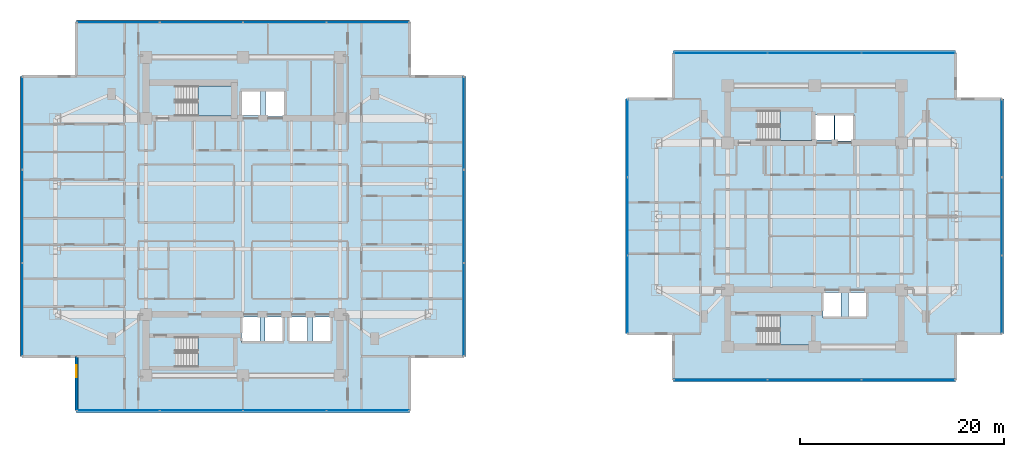
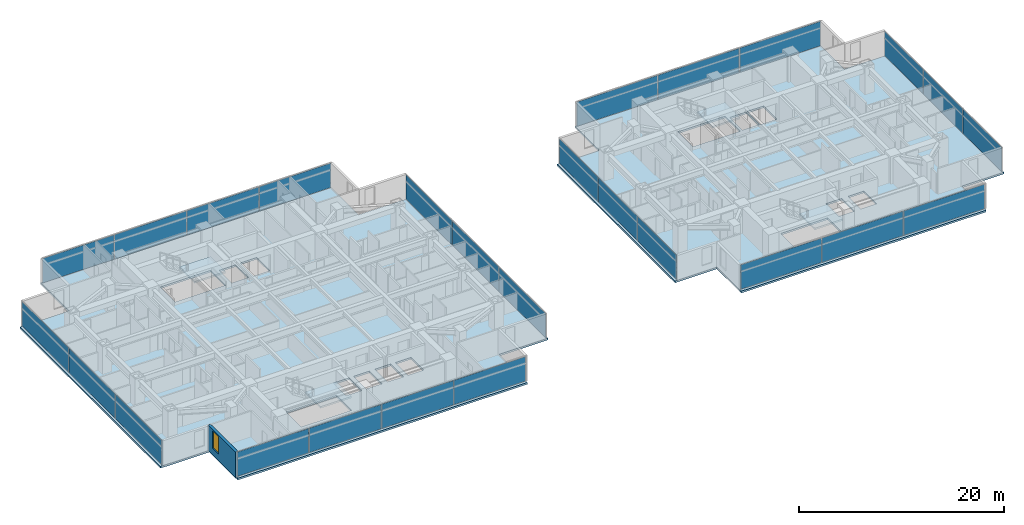
# One storey, part 11 of 25: 26 plates, 6 slabs, 1 wall, 1 window, 1 opening, 12 elements without a shape of their own.
"""IFC4 building model written with IfcOpenShell, lengths in metres."""

import ifcopenshell
import ifcopenshell.guid

model = None  # the IFC model being written
_history = None  # IfcOwnerHistory: only IFC2X3 demands one
_inside = {}  # id of a spatial element -> (the spatial element, [elements in it])
_under = {}  # id of a project, library or spatial element -> (it, [spatial elements below it])
_declared = {}  # id of a project -> (the project, [libraries it declares])
_typed = {}  # id of a type object -> (the type object, [elements of that type])
_made_of = {}  # id of a material, layer set ... -> (it, [elements and type objects made of it])


def new_model(schema):
    """Start an empty IFC model of exactly this schema.

    Asked for "IFC4X3", IfcOpenShell would pick the latest addendum, in which some entities
    have other attributes; the version numbers below select the first issue.
    IFC2X3 requires an IfcOwnerHistory on every rooted entity: one is made here for all.
    """
    global model, _history
    if schema == "IFC4X3":
        model = ifcopenshell.file(schema_version=(4, 3, 0, 0))
    else:
        model = ifcopenshell.file(schema=schema)
    _inside.clear()
    _under.clear()
    _declared.clear()
    _typed.clear()
    _made_of.clear()
    _history = None
    if model.schema == "IFC2X3":
        org = make("IfcOrganization", Name="unknown")
        user = make(
            "IfcPersonAndOrganization",
            ThePerson=make("IfcPerson", FamilyName="unknown"),
            TheOrganization=org,
        )
        app = make(
            "IfcApplication",
            ApplicationDeveloper=org,
            Version="unknown",
            ApplicationFullName="unknown",
            ApplicationIdentifier="unknown",
        )
        _history = make(
            "IfcOwnerHistory",
            OwningUser=user,
            OwningApplication=app,
            ChangeAction="ADDED",
            CreationDate=0,
        )
    return model


def make(cls, **values):
    """One entity of the class cls with the attributes given. An attribute that is None is left unset."""
    return model.create_entity(
        cls, **{name: value for name, value in values.items() if value is not None}
    )


def rooted(cls, **values):
    """An entity with a GlobalId (a new one), such as an element, a storey or a relation."""
    return make(cls, GlobalId=ifcopenshell.guid.new(), OwnerHistory=_history, **values)


def si_unit(unit_type, name, prefix=None):
    """IfcSIUnit, for example si_unit("LENGTHUNIT", "METRE", prefix="MILLI")."""
    return make("IfcSIUnit", UnitType=unit_type, Prefix=prefix, Name=name)


def assignment(units):
    """IfcUnitAssignment: the units of a project."""
    return None if units is None else make("IfcUnitAssignment", Units=units)


def point(xyz):
    """IfcCartesianPoint."""
    return None if xyz is None else make("IfcCartesianPoint", Coordinates=xyz)


def direction(xyz):
    """IfcDirection."""
    return None if xyz is None else make("IfcDirection", DirectionRatios=xyz)


def frame(location, z_axis=None, x_axis=None):
    """IfcAxis2Placement3D, a coordinate frame: its origin and axes. An axis left out is left unset."""
    return make(
        "IfcAxis2Placement3D",
        Location=point(location),
        Axis=direction(z_axis),
        RefDirection=direction(x_axis),
    )


def frame_2d(location, x_axis=None):
    """IfcAxis2Placement2D, a coordinate frame in the plane: its origin and x axis."""
    return make(
        "IfcAxis2Placement2D", Location=point(location), RefDirection=direction(x_axis)
    )


def origin():
    """The frame at (0, 0, 0) with its axes left unset."""
    return frame((0.0, 0.0, 0.0))


def origin_2d():
    """The frame at (0, 0) in the plane with its x axis left unset."""
    return frame_2d((0.0, 0.0))


def place(relative_to, where):
    """IfcLocalPlacement: puts the frame where relative to a parent placement (None: the world)."""
    return make(
        "IfcLocalPlacement", PlacementRelTo=relative_to, RelativePlacement=where
    )


def context(
    kind, dimensions, precision=None, world=None, true_north=None, identifier=None
):
    """IfcGeometricRepresentationContext, for example the 3D "Model" context."""
    return make(
        "IfcGeometricRepresentationContext",
        ContextIdentifier=identifier,
        ContextType=kind,
        CoordinateSpaceDimension=dimensions,
        Precision=precision,
        WorldCoordinateSystem=world,
        TrueNorth=true_north,
    )


def subcontext(parent, identifier, kind, view, scale=None):
    """IfcGeometricRepresentationSubContext, for example "Body" below "Model"."""
    return make(
        "IfcGeometricRepresentationSubContext",
        ContextIdentifier=identifier,
        ContextType=kind,
        ParentContext=parent,
        TargetScale=scale,
        TargetView=view,
    )


def project(units=None, contexts=None):
    """IfcProject with its units and contexts."""
    return rooted(
        "IfcProject",
        Name="project",
        RepresentationContexts=contexts,
        UnitsInContext=assignment(units),
    )


def spatial(cls, under=None, at=None, **own):
    """A site, building, storey or space (cls), placed at a placement, below another one or the project."""
    s = rooted(cls, ObjectPlacement=at, **own)
    if under is not None:
        _under.setdefault(under.id(), (under, []))[1].append(s)
    return s


def polyline(points):
    """IfcPolyline through the points."""
    return make("IfcPolyline", Points=[point(p) for p in points])


def profile(cls, at=None, kind="AREA", **sizes):
    """A parametric profile (cls). Its sizes go by their IFC names, for example OverallWidth=200.0."""
    return make(cls, ProfileType=kind, Position=at, **sizes)


def rectangle(**sizes):
    """IfcRectangleProfileDef."""
    return profile("IfcRectangleProfileDef", **sizes)


def outline(outer, holes=None, kind="AREA"):
    """IfcArbitraryClosedProfileDef: a profile drawn as a closed curve; with holes, ...WithVoids."""
    if holes is None:
        return make("IfcArbitraryClosedProfileDef", ProfileType=kind, OuterCurve=outer)
    return make(
        "IfcArbitraryProfileDefWithVoids",
        ProfileType=kind,
        OuterCurve=outer,
        InnerCurves=holes,
    )


def extrude(swept, where, along, depth):
    """IfcExtrudedAreaSolid: the profile swept, set in the frame where, extruded along a direction by depth."""
    return make(
        "IfcExtrudedAreaSolid",
        SweptArea=swept,
        Position=where,
        ExtrudedDirection=direction(along),
        Depth=depth,
    )


def shape(context_of_items, identifier, shape_type, items):
    """IfcShapeRepresentation: the items that make up one representation, for example the "Body"."""
    return make(
        "IfcShapeRepresentation",
        ContextOfItems=context_of_items,
        RepresentationIdentifier=identifier,
        RepresentationType=shape_type,
        Items=items,
    )


def material(Name=None, Category=None):
    """IfcMaterial."""
    return make("IfcMaterial", Name=Name, Category=Category)


def layer(
    of_material, thickness, ventilated=None, Name=None, Category=None, Priority=None
):
    """IfcMaterialLayer: one layer of a wall or slab, of a material (None: an air gap)."""
    return make(
        "IfcMaterialLayer",
        Material=of_material,
        LayerThickness=thickness,
        IsVentilated=ventilated,
        Name=Name,
        Category=Category,
        Priority=Priority,
    )


def layer_set(layers, Name=None):
    """IfcMaterialLayerSet."""
    return make("IfcMaterialLayerSet", MaterialLayers=layers, LayerSetName=Name)


def made_of(thing, what):
    """Note that an element or type object is made of a material, layer set ...; save() writes the relation."""
    if what is not None:
        _made_of.setdefault(what.id(), (what, []))[1].append(thing)
    return thing


def type_object(cls, material=None, **own):
    """A type object (cls), such as IfcWallType, which elements share."""
    return made_of(rooted(cls, **own), material)


def element(
    cls,
    number,
    at=None,
    inside=None,
    cuts=None,
    type_object=None,
    material=None,
    context=None,
    identifier="Body",
    shape_type=None,
    held_by="IfcProductDefinitionShape",
    body=None,
    shapes=None,
    **own,
):
    """One element of the class cls, such as IfcWall. Its Tag is "e" and its number.

    at: its placement. inside: the storey or other place that contains it. cuts: it is an
    opening in that element (IfcRelVoidsElement). A single representation is given by context,
    identifier, shape_type and body (its items); several are given by shapes. held_by: the class
    of the entity that holds the representations. save() writes the other relations.
    """
    e = rooted(cls, Tag="e%d" % number, ObjectPlacement=at, **own)
    if body is not None:
        shapes = [shape(context, identifier, shape_type, body)]
    if shapes is not None:
        e.Representation = make(held_by, Representations=shapes)
    if inside is not None:
        _inside.setdefault(inside.id(), (inside, []))[1].append(e)
    if cuts is not None:
        rooted(
            "IfcRelVoidsElement", RelatingBuildingElement=cuts, RelatedOpeningElement=e
        )
    if type_object is not None:
        _typed.setdefault(type_object.id(), (type_object, []))[1].append(e)
    return made_of(e, material)


def fill(opening, filler):
    """IfcRelFillsElement: the door or window that sits in an opening."""
    return rooted(
        "IfcRelFillsElement",
        RelatingOpeningElement=opening,
        RelatedBuildingElement=filler,
    )


def aggregate(whole, parts):
    """IfcRelAggregates: a whole, such as a stair, and the parts it consists of."""
    return rooted("IfcRelAggregates", RelatingObject=whole, RelatedObjects=parts)


def save(model, path):
    """Write the relations noted so far, then the file.

    IfcRelAggregates (storeys below a building ...), IfcRelContainedInSpatialStructure (elements
    in a storey), IfcRelDefinesByType, IfcRelAssociatesMaterial and IfcRelDeclares: one each for
    every whole, place, type object, material and project.
    """
    for whole, parts in _under.values():
        aggregate(whole, parts)
    for where, things in _inside.values():
        rooted(
            "IfcRelContainedInSpatialStructure",
            RelatedElements=things,
            RelatingStructure=where,
        )
    for kind, things in _typed.values():
        rooted("IfcRelDefinesByType", RelatedObjects=things, RelatingType=kind)
    for what, things in _made_of.values():
        rooted("IfcRelAssociatesMaterial", RelatedObjects=things, RelatingMaterial=what)
    for by, libraries in _declared.values():
        rooted("IfcRelDeclares", RelatingContext=by, RelatedDefinitions=libraries)
    model.write(path)


model = new_model("IFC4")

# Units and contexts
model_context = context("Model", 3, precision=1e-05, world=origin(), true_north=direction((0.0, 1.0)))
body_context = subcontext(model_context, "Body", "Model", "MODEL_VIEW")
ifc_project = project(units=[si_unit("LENGTHUNIT", "METRE"), si_unit("AREAUNIT", "SQUARE_METRE"), si_unit("VOLUMEUNIT", "CUBIC_METRE"), si_unit("PLANEANGLEUNIT", "RADIAN"), si_unit("MASSUNIT", "GRAM", prefix="KILO")], contexts=[model_context])

# Site, building, storey
site_placement = place(None, origin())
site = spatial("IfcSite", under=ifc_project, at=site_placement, CompositionType="ELEMENT")
building_placement = place(site_placement, origin())
building = spatial("IfcBuilding", under=site, at=building_placement, Name="Mirazonda Arch Towers", CompositionType="ELEMENT")
storey_placement = place(building_placement, frame((0.0, 0.0, 104.89990234375)))
storey = spatial("IfcBuildingStorey", under=building, at=storey_placement, Name="L29", CompositionType="ELEMENT", Elevation=104.89990234375)

# Curtain wall, plates
ifc_material_1 = material(Name="Anodised Aluminium and Low-E Glass", Category="aluminium")
curtain_wall_type = type_object("IfcCurtainWallType", Name="CW-HTL-UNIT", PredefinedType="NOTDEFINED", material=ifc_material_1)
curtain_wall_1_placement = place(storey_placement, origin())
curtain_wall_1 = element("IfcCurtainWall", 1, at=curtain_wall_1_placement, inside=storey, type_object=curtain_wall_type, Name="L29 T1 S Facade CW-L29-T1-S", PredefinedType="NOTDEFINED")
ifc_material_2 = material(Name="Insulated Low-E Solar Glass", Category="glass")
ifc_layer_1 = layer(ifc_material_2, 0.035888671875, Name="PAN-CW-HTL-UNIT")
ifc_layer_set_1 = layer_set([ifc_layer_1], Name="Insulated Low-E Solar Glass")
plate_type = type_object("IfcPlateType", Name="PAN-CW-HTL-UNIT", PredefinedType="CURTAIN_PANEL", material=ifc_layer_set_1)
plate_1_placement = place(storey_placement, frame((32.72509765625, 8.97998046875, 0.0751953125), z_axis=(0.0, 0.0, 1.0), x_axis=(-1.0, 0.0, 0.0)))
plate_1 = element("IfcPlate", 2, at=plate_1_placement, type_object=plate_type, Name="CW-112 panel 1.1", PredefinedType="CURTAIN_PANEL", context=body_context, shape_type="SweptSolid", body=[
    extrude(rectangle(XDim=8.050048828125, YDim=0.035888671875, at=origin_2d()), origin(), (0.0, 0.0, 1.0), 2.909912109375),
])
plate_2_placement = place(storey_placement, frame((24.581298828125, 8.97998046875, 0.0751953125), z_axis=(0.0, 0.0, 1.0), x_axis=(-1.0, 0.0, 0.0)))
plate_2 = element("IfcPlate", 3, at=plate_2_placement, type_object=plate_type, Name="CW-112 panel 2.1", PredefinedType="CURTAIN_PANEL", context=body_context, shape_type="SweptSolid", body=[
    extrude(rectangle(XDim=8.08740234375, YDim=0.035888671875, at=origin_2d()), origin(), (0.0, 0.0, 1.0), 2.909912109375),
])
plate_3_placement = place(storey_placement, frame((16.418701171875, 8.97998046875, 0.0751953125), z_axis=(0.0, 0.0, 1.0), x_axis=(-1.0, 0.0, 0.0)))
plate_3 = element("IfcPlate", 4, at=plate_3_placement, type_object=plate_type, Name="CW-112 panel 3.1", PredefinedType="CURTAIN_PANEL", context=body_context, shape_type="SweptSolid", body=[
    extrude(rectangle(XDim=8.08740234375, YDim=0.035888671875, at=origin_2d()), origin(), (0.0, 0.0, 1.0), 2.909912109375),
])
plate_4_placement = place(storey_placement, frame((8.27490234375, 8.97998046875, 0.0751953125), z_axis=(0.0, 0.0, 1.0), x_axis=(-1.0, 0.0, 0.0)))
plate_4 = element("IfcPlate", 5, at=plate_4_placement, type_object=plate_type, Name="CW-112 panel 4.1", PredefinedType="CURTAIN_PANEL", context=body_context, shape_type="SweptSolid", body=[
    extrude(rectangle(XDim=8.050048828125, YDim=0.035888671875, at=origin_2d()), origin(), (0.0, 0.0, 1.0), 2.909912109375),
])
aggregate(curtain_wall_1, [plate_1, plate_2, plate_3, plate_4])

curtain_wall_2_placement = place(storey_placement, origin())
curtain_wall_2 = element("IfcCurtainWall", 6, at=curtain_wall_2_placement, inside=storey, type_object=curtain_wall_type, Name="L29 T1 E Facade CW-L29-T1-E", PredefinedType="NOTDEFINED")
plate_5_placement = place(storey_placement, frame((42.1298828125, 18.87548828125, 0.0751953125), z_axis=(0.0, 0.0, 1.0), x_axis=(0.0, 1.0, 0.0)))
plate_5 = element("IfcPlate", 7, at=plate_5_placement, type_object=plate_type, Name="CW-112 panel 1.1", PredefinedType="CURTAIN_PANEL", context=body_context, shape_type="SweptSolid", body=[
    extrude(rectangle(XDim=9.03076171875, YDim=0.035888671875, at=origin_2d()), origin(), (0.0, 0.0, 1.0), 2.909912109375),
])
plate_6_placement = place(storey_placement, frame((42.1298828125, 28.0, 0.0751953125), z_axis=(0.0, 0.0, 1.0), x_axis=(0.0, 1.0, 0.0)))
plate_6 = element("IfcPlate", 8, at=plate_6_placement, type_object=plate_type, Name="CW-112 panel 2.1", PredefinedType="CURTAIN_PANEL", context=body_context, shape_type="SweptSolid", body=[
    extrude(rectangle(XDim=9.068359375, YDim=0.035888671875, at=origin_2d()), origin(), (0.0, 0.0, 1.0), 2.909912109375),
])
plate_7_placement = place(storey_placement, frame((42.1298828125, 37.12451171875, 0.0751953125), z_axis=(0.0, 0.0, 1.0), x_axis=(0.0, 1.0, 0.0)))
plate_7 = element("IfcPlate", 9, at=plate_7_placement, type_object=plate_type, Name="CW-112 panel 3.1", PredefinedType="CURTAIN_PANEL", context=body_context, shape_type="SweptSolid", body=[
    extrude(rectangle(XDim=9.03076171875, YDim=0.035888671875, at=origin_2d()), origin(), (0.0, 0.0, 1.0), 2.909912109375),
])
aggregate(curtain_wall_2, [plate_5, plate_6, plate_7])

curtain_wall_3_placement = place(storey_placement, origin())
curtain_wall_3 = element("IfcCurtainWall", 10, at=curtain_wall_3_placement, inside=storey, type_object=curtain_wall_type, Name="L29 T1 N Facade CW-L29-T1-N", PredefinedType="NOTDEFINED")
plate_8_placement = place(storey_placement, frame((8.27490234375, 47.02001953125, 0.0751953125), z_axis=(0.0, 0.0, 1.0), x_axis=(1.0, 0.0, 0.0)))
plate_8 = element("IfcPlate", 11, at=plate_8_placement, type_object=plate_type, Name="CW-112 panel 1.1", PredefinedType="CURTAIN_PANEL", context=body_context, shape_type="SweptSolid", body=[
    extrude(rectangle(XDim=8.050048828125, YDim=0.035888671875, at=origin_2d()), origin(), (0.0, 0.0, 1.0), 2.909912109375),
])
plate_9_placement = place(storey_placement, frame((16.418701171875, 47.02001953125, 0.0751953125), z_axis=(0.0, 0.0, 1.0), x_axis=(1.0, 0.0, 0.0)))
plate_9 = element("IfcPlate", 12, at=plate_9_placement, type_object=plate_type, Name="CW-112 panel 2.1", PredefinedType="CURTAIN_PANEL", context=body_context, shape_type="SweptSolid", body=[
    extrude(rectangle(XDim=8.08740234375, YDim=0.035888671875, at=origin_2d()), origin(), (0.0, 0.0, 1.0), 2.909912109375),
])
plate_10_placement = place(storey_placement, frame((24.581298828125, 47.02001953125, 0.0751953125), z_axis=(0.0, 0.0, 1.0), x_axis=(1.0, 0.0, 0.0)))
plate_10 = element("IfcPlate", 13, at=plate_10_placement, type_object=plate_type, Name="CW-112 panel 3.1", PredefinedType="CURTAIN_PANEL", context=body_context, shape_type="SweptSolid", body=[
    extrude(rectangle(XDim=8.08740234375, YDim=0.035888671875, at=origin_2d()), origin(), (0.0, 0.0, 1.0), 2.909912109375),
])
plate_11_placement = place(storey_placement, frame((32.72509765625, 47.02001953125, 0.0751953125), z_axis=(0.0, 0.0, 1.0), x_axis=(1.0, 0.0, 0.0)))
plate_11 = element("IfcPlate", 14, at=plate_11_placement, type_object=plate_type, Name="CW-112 panel 4.1", PredefinedType="CURTAIN_PANEL", context=body_context, shape_type="SweptSolid", body=[
    extrude(rectangle(XDim=8.050048828125, YDim=0.035888671875, at=origin_2d()), origin(), (0.0, 0.0, 1.0), 2.909912109375),
])
aggregate(curtain_wall_3, [plate_8, plate_9, plate_10, plate_11])

curtain_wall_4_placement = place(storey_placement, origin())
curtain_wall_4 = element("IfcCurtainWall", 15, at=curtain_wall_4_placement, inside=storey, type_object=curtain_wall_type, Name="L29 T1 W Facade CW-L29-T1-W", PredefinedType="NOTDEFINED")
plate_12_placement = place(storey_placement, frame((-1.1298828125, 37.12451171875, 0.0751953125), z_axis=(0.0, 0.0, 1.0), x_axis=(0.0, -1.0, 0.0)))
plate_12 = element("IfcPlate", 16, at=plate_12_placement, type_object=plate_type, Name="CW-112 panel 1.1", PredefinedType="CURTAIN_PANEL", context=body_context, shape_type="SweptSolid", body=[
    extrude(rectangle(XDim=9.03076171875, YDim=0.035888671875, at=origin_2d()), origin(), (0.0, 0.0, 1.0), 2.909912109375),
])
plate_13_placement = place(storey_placement, frame((-1.1298828125, 28.0, 0.0751953125), z_axis=(0.0, 0.0, 1.0), x_axis=(0.0, -1.0, 0.0)))
plate_13 = element("IfcPlate", 17, at=plate_13_placement, type_object=plate_type, Name="CW-112 panel 2.1", PredefinedType="CURTAIN_PANEL", context=body_context, shape_type="SweptSolid", body=[
    extrude(rectangle(XDim=9.068359375, YDim=0.035888671875, at=origin_2d()), origin(), (0.0, 0.0, 1.0), 2.909912109375),
])
plate_14_placement = place(storey_placement, frame((-1.1298828125, 18.87548828125, 0.0751953125), z_axis=(0.0, 0.0, 1.0), x_axis=(0.0, -1.0, 0.0)))
plate_14 = element("IfcPlate", 18, at=plate_14_placement, type_object=plate_type, Name="CW-112 panel 3.1", PredefinedType="CURTAIN_PANEL", context=body_context, shape_type="SweptSolid", body=[
    extrude(rectangle(XDim=9.03076171875, YDim=0.035888671875, at=origin_2d()), origin(), (0.0, 0.0, 1.0), 2.909912109375),
])
aggregate(curtain_wall_4, [plate_12, plate_13, plate_14])

curtain_wall_5_placement = place(storey_placement, origin())
curtain_wall_5 = element("IfcCurtainWall", 19, at=curtain_wall_5_placement, inside=storey, type_object=curtain_wall_type, Name="L29 T2 S Facade CW-L29-T2-S", PredefinedType="NOTDEFINED")
plate_15_placement = place(storey_placement, frame((85.692138671875, 11.986083984375, 0.0751953125), z_axis=(0.0, 0.0, 1.0), x_axis=(-1.0, 0.0, 0.0)))
plate_15 = element("IfcPlate", 20, at=plate_15_placement, type_object=plate_type, Name="CW-112 panel 1.1", PredefinedType="CURTAIN_PANEL", context=body_context, shape_type="SweptSolid", body=[
    extrude(rectangle(XDim=9.098388671875, YDim=0.035888671875, at=origin_2d()), origin(), (0.0, 0.0, 1.0), 2.909912109375),
])
plate_16_placement = place(storey_placement, frame((76.5, 11.986083984375, 0.0751953125), z_axis=(0.0, 0.0, 1.0), x_axis=(-1.0, 0.0, 0.0)))
plate_16 = element("IfcPlate", 21, at=plate_16_placement, type_object=plate_type, Name="CW-112 panel 2.1", PredefinedType="CURTAIN_PANEL", context=body_context, shape_type="SweptSolid", body=[
    extrude(rectangle(XDim=9.1357421875, YDim=0.035888671875, at=origin_2d()), origin(), (0.0, 0.0, 1.0), 2.909912109375),
])
plate_17_placement = place(storey_placement, frame((67.307861328125, 11.986083984375, 0.0751953125), z_axis=(0.0, 0.0, 1.0), x_axis=(-1.0, 0.0, 0.0)))
plate_17 = element("IfcPlate", 22, at=plate_17_placement, type_object=plate_type, Name="CW-112 panel 3.1", PredefinedType="CURTAIN_PANEL", context=body_context, shape_type="SweptSolid", body=[
    extrude(rectangle(XDim=9.098388671875, YDim=0.035888671875, at=origin_2d()), origin(), (0.0, 0.0, 1.0), 2.909912109375),
])
aggregate(curtain_wall_5, [plate_15, plate_16, plate_17])

curtain_wall_6_placement = place(storey_placement, origin())
curtain_wall_6 = element("IfcCurtainWall", 23, at=curtain_wall_6_placement, inside=storey, type_object=curtain_wall_type, Name="L29 T2 E Facade CW-L29-T2-E", PredefinedType="NOTDEFINED")
plate_18_placement = place(storey_placement, frame((94.83251953125, 20.353515625, 0.0751953125), z_axis=(0.0, 0.0, 1.0), x_axis=(0.0, 1.0, 0.0)))
plate_18 = element("IfcPlate", 24, at=plate_18_placement, type_object=plate_type, Name="CW-112 panel 1.1", PredefinedType="CURTAIN_PANEL", context=body_context, shape_type="SweptSolid", body=[
    extrude(rectangle(XDim=7.552734375, YDim=0.035888671875, at=origin_2d()), origin(), (0.0, 0.0, 1.0), 2.909912109375),
])
plate_19_placement = place(storey_placement, frame((94.83251953125, 28.0, 0.0751953125), z_axis=(0.0, 0.0, 1.0), x_axis=(0.0, 1.0, 0.0)))
plate_19 = element("IfcPlate", 25, at=plate_19_placement, type_object=plate_type, Name="CW-112 panel 2.1", PredefinedType="CURTAIN_PANEL", context=body_context, shape_type="SweptSolid", body=[
    extrude(rectangle(XDim=7.590087890625, YDim=0.035888671875, at=origin_2d()), origin(), (0.0, 0.0, 1.0), 2.909912109375),
])
plate_20_placement = place(storey_placement, frame((94.83251953125, 35.646484375, 0.0751953125), z_axis=(0.0, 0.0, 1.0), x_axis=(0.0, 1.0, 0.0)))
plate_20 = element("IfcPlate", 26, at=plate_20_placement, type_object=plate_type, Name="CW-112 panel 3.1", PredefinedType="CURTAIN_PANEL", context=body_context, shape_type="SweptSolid", body=[
    extrude(rectangle(XDim=7.552734375, YDim=0.035888671875, at=origin_2d()), origin(), (0.0, 0.0, 1.0), 2.909912109375),
])
aggregate(curtain_wall_6, [plate_18, plate_19, plate_20])

curtain_wall_7_placement = place(storey_placement, origin())
curtain_wall_7 = element("IfcCurtainWall", 27, at=curtain_wall_7_placement, inside=storey, type_object=curtain_wall_type, Name="L29 T2 N Facade CW-L29-T2-N", PredefinedType="NOTDEFINED")
plate_21_placement = place(storey_placement, frame((67.307861328125, 44.013916015625, 0.0751953125), z_axis=(0.0, 0.0, 1.0), x_axis=(1.0, 0.0, 0.0)))
plate_21 = element("IfcPlate", 28, at=plate_21_placement, type_object=plate_type, Name="CW-112 panel 1.1", PredefinedType="CURTAIN_PANEL", context=body_context, shape_type="SweptSolid", body=[
    extrude(rectangle(XDim=9.098388671875, YDim=0.035888671875, at=origin_2d()), origin(), (0.0, 0.0, 1.0), 2.909912109375),
])
plate_22_placement = place(storey_placement, frame((76.5, 44.013916015625, 0.0751953125), z_axis=(0.0, 0.0, 1.0), x_axis=(1.0, 0.0, 0.0)))
plate_22 = element("IfcPlate", 29, at=plate_22_placement, type_object=plate_type, Name="CW-112 panel 2.1", PredefinedType="CURTAIN_PANEL", context=body_context, shape_type="SweptSolid", body=[
    extrude(rectangle(XDim=9.1357421875, YDim=0.035888671875, at=origin_2d()), origin(), (0.0, 0.0, 1.0), 2.909912109375),
])
plate_23_placement = place(storey_placement, frame((85.692138671875, 44.013916015625, 0.0751953125), z_axis=(0.0, 0.0, 1.0), x_axis=(1.0, 0.0, 0.0)))
plate_23 = element("IfcPlate", 30, at=plate_23_placement, type_object=plate_type, Name="CW-112 panel 3.1", PredefinedType="CURTAIN_PANEL", context=body_context, shape_type="SweptSolid", body=[
    extrude(rectangle(XDim=9.098388671875, YDim=0.035888671875, at=origin_2d()), origin(), (0.0, 0.0, 1.0), 2.909912109375),
])
aggregate(curtain_wall_7, [plate_21, plate_22, plate_23])

curtain_wall_8_placement = place(storey_placement, origin())
curtain_wall_8 = element("IfcCurtainWall", 31, at=curtain_wall_8_placement, inside=storey, type_object=curtain_wall_type, Name="L29 T2 W Facade CW-L29-T2-W", PredefinedType="NOTDEFINED")
plate_24_placement = place(storey_placement, frame((58.16748046875, 35.646484375, 0.0751953125), z_axis=(0.0, 0.0, 1.0), x_axis=(0.0, -1.0, 0.0)))
plate_24 = element("IfcPlate", 32, at=plate_24_placement, type_object=plate_type, Name="CW-112 panel 1.1", PredefinedType="CURTAIN_PANEL", context=body_context, shape_type="SweptSolid", body=[
    extrude(rectangle(XDim=7.552734375, YDim=0.035888671875, at=origin_2d()), origin(), (0.0, 0.0, 1.0), 2.909912109375),
])
plate_25_placement = place(storey_placement, frame((58.16748046875, 28.0, 0.0751953125), z_axis=(0.0, 0.0, 1.0), x_axis=(0.0, -1.0, 0.0)))
plate_25 = element("IfcPlate", 33, at=plate_25_placement, type_object=plate_type, Name="CW-112 panel 2.1", PredefinedType="CURTAIN_PANEL", context=body_context, shape_type="SweptSolid", body=[
    extrude(rectangle(XDim=7.590087890625, YDim=0.035888671875, at=origin_2d()), origin(), (0.0, 0.0, 1.0), 2.909912109375),
])
plate_26_placement = place(storey_placement, frame((58.16748046875, 20.353515625, 0.0751953125), z_axis=(0.0, 0.0, 1.0), x_axis=(0.0, -1.0, 0.0)))
plate_26 = element("IfcPlate", 34, at=plate_26_placement, type_object=plate_type, Name="CW-112 panel 3.1", PredefinedType="CURTAIN_PANEL", context=body_context, shape_type="SweptSolid", body=[
    extrude(rectangle(XDim=7.552734375, YDim=0.035888671875, at=origin_2d()), origin(), (0.0, 0.0, 1.0), 2.909912109375),
])
aggregate(curtain_wall_8, [plate_24, plate_25, plate_26])

# Stair, slab
ifc_material_3 = material(Name="Concrete C40/50", Category="concrete")
stair_type = type_object("IfcStairType", Name="STAIR-CORE-1400", PredefinedType="HALF_TURN_STAIR", material=ifc_material_3)
stair_1_placement = place(storey_placement, origin())
stair_1 = element("IfcStair", 35, at=stair_1_placement, inside=storey, type_object=stair_type, Name="L29 Protected Exit Stair ST-T1N", PredefinedType="HALF_TURN_STAIR")
ifc_layer_2 = layer(ifc_material_3, 0.18994140625, Name="SLAB-LANDING-190")
ifc_layer_set_2 = layer_set([ifc_layer_2], Name="Concrete C40/50")
slab_type_1 = type_object("IfcSlabType", Name="SLAB-LANDING-190", PredefinedType="LANDING", material=ifc_layer_set_2)
slab_1_placement = place(storey_placement, frame((0.0, 0.0, 1.4501953125)))
slab_1 = element("IfcSlab", 36, at=slab_1_placement, type_object=slab_type_1, Name="ST-T1N landing 1", PredefinedType="LANDING", context=body_context, shape_type="SweptSolid", body=[
    extrude(outline(polyline([(16.090087890625, 37.820068359375), (19.60009765625, 37.820068359375), (19.60009765625, 40.760009765625), (16.090087890625, 40.760009765625), (16.090087890625, 37.820068359375)])), origin(), (0.0, 0.0, 1.0), 0.199951171875),
])
aggregate(stair_1, [slab_1])

stair_2_placement = place(storey_placement, origin())
stair_2 = element("IfcStair", 37, at=stair_2_placement, inside=storey, type_object=stair_type, Name="L29 Protected Exit Stair ST-T1S", PredefinedType="HALF_TURN_STAIR")
slab_2_placement = place(storey_placement, frame((0.0, 0.0, 1.4501953125)))
slab_2 = element("IfcSlab", 38, at=slab_2_placement, type_object=slab_type_1, Name="ST-T1S landing 1", PredefinedType="LANDING", context=body_context, shape_type="SweptSolid", body=[
    extrude(outline(polyline([(16.090087890625, 13.25), (19.60009765625, 13.25), (19.60009765625, 16.18994140625), (16.090087890625, 16.18994140625), (16.090087890625, 13.25)])), origin(), (0.0, 0.0, 1.0), 0.199951171875),
])
aggregate(stair_2, [slab_2])

stair_3_placement = place(storey_placement, origin())
stair_3 = element("IfcStair", 39, at=stair_3_placement, inside=storey, type_object=stair_type, Name="L29 Protected Exit Stair ST-T2N", PredefinedType="HALF_TURN_STAIR")
slab_3_placement = place(storey_placement, frame((0.0, 0.0, 1.4501953125)))
slab_3 = element("IfcSlab", 40, at=slab_3_placement, type_object=slab_type_1, Name="ST-T2N landing 1", PredefinedType="LANDING", context=body_context, shape_type="SweptSolid", body=[
    extrude(outline(polyline([(73.090087890625, 35.419921875), (76.22998046875, 35.419921875), (76.22998046875, 38.360107421875), (73.090087890625, 38.360107421875), (73.090087890625, 35.419921875)])), origin(), (0.0, 0.0, 1.0), 0.199951171875),
])
aggregate(stair_3, [slab_3])

stair_4_placement = place(storey_placement, origin())
stair_4 = element("IfcStair", 41, at=stair_4_placement, inside=storey, type_object=stair_type, Name="L29 Protected Exit Stair ST-T2S", PredefinedType="HALF_TURN_STAIR")
slab_4_placement = place(storey_placement, frame((0.0, 0.0, 1.4501953125)))
slab_4 = element("IfcSlab", 42, at=slab_4_placement, type_object=slab_type_1, Name="ST-T2S landing 1", PredefinedType="LANDING", context=body_context, shape_type="SweptSolid", body=[
    extrude(outline(polyline([(73.090087890625, 15.419921875), (76.22998046875, 15.419921875), (76.22998046875, 18.360107421875), (73.090087890625, 18.360107421875), (73.090087890625, 15.419921875)])), origin(), (0.0, 0.0, 1.0), 0.199951171875),
])
aggregate(stair_4, [slab_4])

# Slabs
ifc_layer_3 = layer(ifc_material_3, 0.219970703125, Name="SLAB-TWR-220")
ifc_layer_set_3 = layer_set([ifc_layer_3], Name="Concrete C40/50")
slab_type_2 = type_object("IfcSlabType", Name="SLAB-TWR-220", PredefinedType="FLOOR", material=ifc_layer_set_3)
slab_5_placement = place(storey_placement, frame((0.0, 0.0, -0.219970703125)))
element("IfcSlab", 43, at=slab_5_placement, inside=storey, type_object=slab_type_2, Name="L29 Tower 1 Floor Slab", PredefinedType="FLOOR", context=body_context, shape_type="SweptSolid", body=[
    extrude(outline(polyline([(4.175048828125, 8.760009765625), (36.824951171875, 8.760009765625), (36.824951171875, 14.284912109375), (42.35009765625, 14.284912109375), (42.35009765625, 41.715087890625), (36.824951171875, 41.715087890625), (36.824951171875, 47.239990234375), (4.175048828125, 47.239990234375), (4.175048828125, 41.715087890625), (-1.35009765625, 41.715087890625), (-1.35009765625, 14.284912109375), (4.175048828125, 14.284912109375), (4.175048828125, 8.760009765625)]), holes=[polyline([(27.360107421875, 18.139892578125), (29.139892578125, 18.139892578125), (29.139892578125, 15.659912109375), (27.360107421875, 15.659912109375), (27.360107421875, 18.139892578125)]), polyline([(25.06005859375, 18.139892578125), (26.840087890625, 18.139892578125), (26.840087890625, 15.659912109375), (25.06005859375, 15.659912109375), (25.06005859375, 18.139892578125)]), polyline([(22.7099609375, 40.389892578125), (24.590087890625, 40.389892578125), (24.590087890625, 37.81005859375), (22.7099609375, 37.81005859375), (22.7099609375, 40.389892578125)]), polyline([(22.659912109375, 18.139892578125), (24.43994140625, 18.139892578125), (24.43994140625, 15.659912109375), (22.659912109375, 15.659912109375), (22.659912109375, 18.139892578125)]), polyline([(20.31005859375, 40.340087890625), (22.18994140625, 40.340087890625), (22.18994140625, 37.860107421875), (20.31005859375, 37.860107421875), (20.31005859375, 40.340087890625)]), polyline([(20.360107421875, 18.139892578125), (22.139892578125, 18.139892578125), (22.139892578125, 15.659912109375), (20.360107421875, 15.659912109375), (20.360107421875, 18.139892578125)]), polyline([(13.925048828125, 13.25), (13.925048828125, 16.18994140625), (19.60009765625, 16.18994140625), (19.60009765625, 13.25), (13.925048828125, 13.25)]), polyline([(13.925048828125, 37.820068359375), (13.925048828125, 40.760009765625), (19.60009765625, 40.760009765625), (19.60009765625, 37.820068359375), (13.925048828125, 37.820068359375)])]), origin(), (0.0, 0.0, 1.0), 0.219970703125),
])
slab_6_placement = place(storey_placement, frame((0.0, 0.0, -0.219970703125)))
element("IfcSlab", 44, at=slab_6_placement, inside=storey, type_object=slab_type_2, Name="L29 Tower 2 Floor Slab", PredefinedType="FLOOR", context=body_context, shape_type="SweptSolid", body=[
    extrude(outline(polyline([(62.683837890625, 11.76611328125), (90.316162109375, 11.76611328125), (90.316162109375, 16.502197265625), (95.052490234375, 16.502197265625), (95.052490234375, 39.497802734375), (90.316162109375, 39.497802734375), (90.316162109375, 44.23388671875), (62.683837890625, 44.23388671875), (62.683837890625, 39.497802734375), (57.947509765625, 39.497802734375), (57.947509765625, 16.502197265625), (62.683837890625, 16.502197265625), (62.683837890625, 11.76611328125)]), holes=[polyline([(79.81005859375, 20.5400390625), (81.590087890625, 20.5400390625), (81.590087890625, 18.06005859375), (79.81005859375, 18.06005859375), (79.81005859375, 20.5400390625)]), polyline([(78.47998046875, 37.989990234375), (80.360107421875, 37.989990234375), (80.360107421875, 35.409912109375), (78.47998046875, 35.409912109375), (78.47998046875, 37.989990234375)]), polyline([(77.31005859375, 20.5400390625), (79.090087890625, 20.5400390625), (79.090087890625, 18.06005859375), (77.31005859375, 18.06005859375), (77.31005859375, 20.5400390625)]), polyline([(76.510009765625, 35.4599609375), (76.510009765625, 37.93994140625), (78.389892578125, 37.93994140625), (78.389892578125, 35.4599609375), (76.510009765625, 35.4599609375)]), polyline([(76.22998046875, 15.419921875), (70.925048828125, 15.419921875), (70.925048828125, 18.360107421875), (76.22998046875, 18.360107421875), (76.22998046875, 15.419921875)]), polyline([(70.925048828125, 35.419921875), (70.925048828125, 38.360107421875), (76.22998046875, 38.360107421875), (76.22998046875, 35.419921875), (70.925048828125, 35.419921875)])]), origin(), (0.0, 0.0, 1.0), 0.219970703125),
])

# Wall, opening, window
ifc_material_4 = material(Name="Precast Concrete C40/50", Category="concrete")
ifc_layer_4 = layer(ifc_material_4, 0.280029296875, Name="WALL-EXT-WALL-280")
ifc_layer_set_4 = layer_set([ifc_layer_4], Name="Precast Concrete C40/50")
wall_type = type_object("IfcWallType", Name="WALL-EXT-WALL-280", PredefinedType="SOLIDWALL", material=ifc_layer_set_4)
wall_placement = place(storey_placement, frame((4.175048828125, 14.284912109375, 0.0), z_axis=(0.0, 0.0, 1.0), x_axis=(0.0, -1.0, 0.0)))
wall = element("IfcWall", 45, at=wall_placement, inside=storey, type_object=wall_type, Name="L29 T1 Notched SW Corner Wall WL-L29-T1-CSW", PredefinedType="SOLIDWALL", context=body_context, shape_type="SweptSolid", body=[
    extrude(rectangle(XDim=5.304931640625, YDim=0.280029296875, at=frame_2d((2.65234375, 0.0))), origin(), (0.0, 0.0, 1.0), 3.06005859375),
])
opening_placement = place(wall_placement, frame((0.85009765625, 0.0, 0.81005859375)))
opening = element("IfcOpeningElement", 46, at=opening_placement, cuts=wall, Name="Opening WN-122", PredefinedType="OPENING", context=body_context, shape_type="SweptSolid", body=[
    extrude(rectangle(XDim=1.199951171875, YDim=2.10009765625, at=frame_2d((0.60009765625, 1.050048828125))), frame((0.0, 0.14990234375, 0.0), z_axis=(0.0, -1.0, 0.0), x_axis=(1.0, 0.0, 0.0)), (0.0, 0.0, 1.0), 0.300048828125),
])
window_type = type_object("IfcWindowType", Name="WIN-HTL-1200x2100", PartitioningType="SINGLE_PANEL", PredefinedType="WINDOW", material=ifc_material_2)
window_placement = place(opening_placement, origin())
window = element("IfcWindow", 47, at=window_placement, inside=storey, type_object=window_type, Name="L29 Punched Facade Window WN-L29-T1-CSW", OverallHeight=2.10009765625, OverallWidth=1.199951171875, PartitioningType="SINGLE_PANEL", PredefinedType="WINDOW", context=body_context, shape_type="SweptSolid", body=[
    extrude(rectangle(XDim=1.199951171875, YDim=2.10009765625, at=frame_2d((0.60009765625, 1.050048828125))), frame((0.0, 0.030029296875, 0.0), z_axis=(0.0, -1.0, 0.0), x_axis=(1.0, 0.0, 0.0)), (0.0, 0.0, 1.0), 0.06005859375),
])
fill(opening, window)

save(model, "model.ifc")
